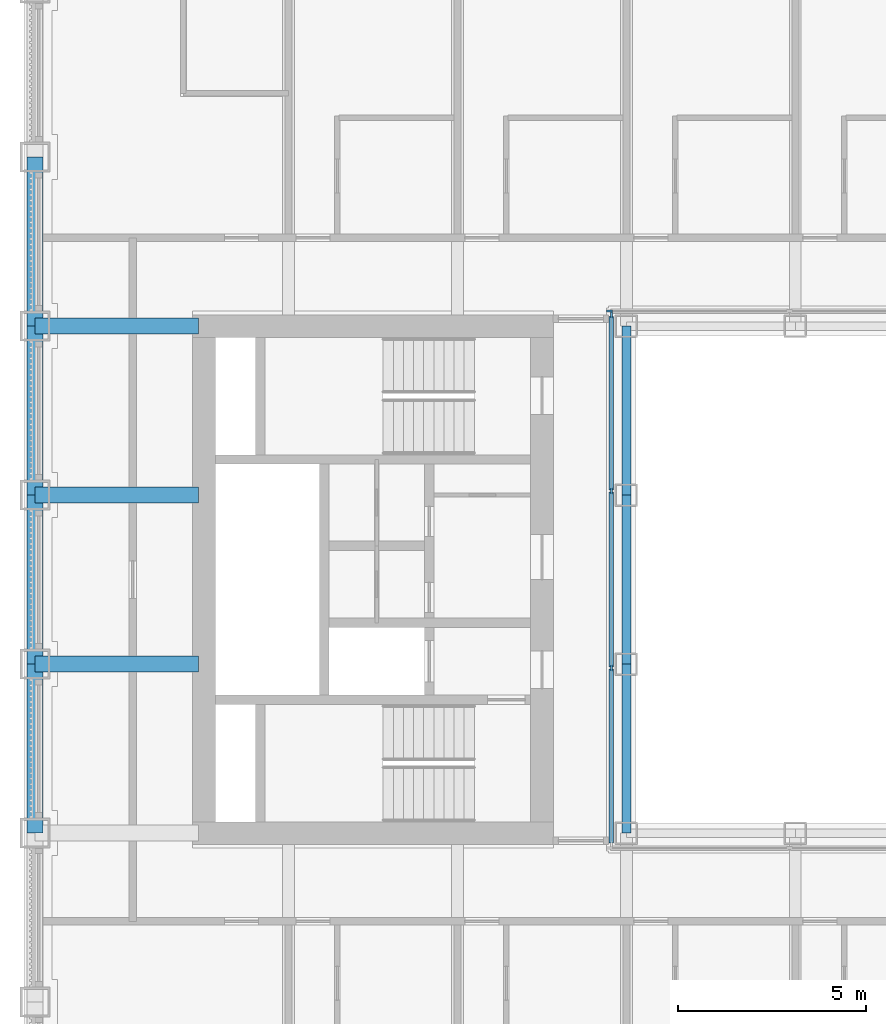
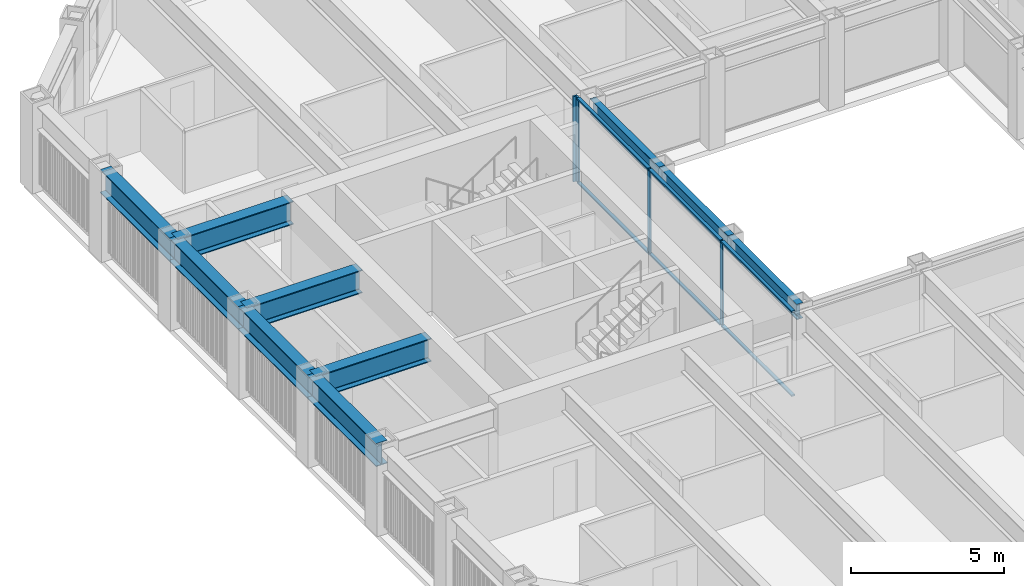
# One storey, part 4 of 18: 10 beams, 10 members, 2 elements without a shape of their own.
"""IFC4 building model written with IfcOpenShell, lengths in metres."""

from ifc_helpers import new_model, si_unit, direction, frame, origin, origin_2d, place, context, subcontext, project, spatial, rectangle, i_section, extrude, material, material_profile, profile_set, type_object, element, aggregate, save


model = new_model("IFC4")

# Units and contexts
model_context = context("Model", 3, precision=1e-05, world=origin(), true_north=direction((0.0, 1.0)))
body_context = subcontext(model_context, "Body", "Model", "MODEL_VIEW")
ifc_project = project(units=[si_unit("LENGTHUNIT", "METRE"), si_unit("AREAUNIT", "SQUARE_METRE"), si_unit("VOLUMEUNIT", "CUBIC_METRE"), si_unit("PLANEANGLEUNIT", "RADIAN"), si_unit("MASSUNIT", "GRAM", prefix="KILO")], contexts=[model_context])

# Site, building, storey
site_placement = place(None, origin())
site = spatial("IfcSite", under=ifc_project, at=site_placement, CompositionType="ELEMENT")
building_placement = place(site_placement, origin())
building = spatial("IfcBuilding", under=site, at=building_placement, Name="Msasa Ring Tower", CompositionType="ELEMENT")
storey_placement = place(building_placement, frame((0.0, 0.0, 122.0)))
storey = spatial("IfcBuildingStorey", under=building, at=storey_placement, Name="L31", CompositionType="ELEMENT", Elevation=122.0)

# Curtain wall, member
ifc_material_1 = material(Name="Aluminium curtain wall with clear glass", Category="aluminium")
curtain_wall_type = type_object("IfcCurtainWallType", Name="CW-W LIGHT WELL CURTAIN WALL", PredefinedType="NOTDEFINED", material=ifc_material_1)
curtain_wall_1_placement = place(storey_placement, origin())
curtain_wall_1 = element("IfcCurtainWall", 1, at=curtain_wall_1_placement, inside=storey, type_object=curtain_wall_type, Name="Light well curtain wall N L31", PredefinedType="NOTDEFINED")
ifc_material_2 = material(Name="Aluminium mullion", Category="aluminium")
ifc_material_profile_1 = material_profile(ifc_material_2, rectangle(XDim=0.06005859375, YDim=0.159912109375, at=origin_2d()), Name="AL 60x160")
ifc_profile_set_1 = profile_set([ifc_material_profile_1], Name="Aluminium mullion")
member_type_1 = type_object("IfcMemberType", Name="CW-W MULLION 60x160", PredefinedType="MULLION", material=ifc_profile_set_1)
member_1_placement = place(storey_placement, frame((-7.199951171875, 7.14990234375, 0.0), z_axis=(0.0, 0.0, 1.0), x_axis=(0.0, 1.0, 0.0)))
member_1 = element("IfcMember", 2, at=member_1_placement, type_object=member_type_1, Name="CW-W mullion 1", PredefinedType="MULLION", context=body_context, shape_type="SweptSolid", body=[
    extrude(rectangle(XDim=0.06005859375, YDim=0.159912109375, at=origin_2d()), origin(), (0.0, 0.0, 1.0), 3.39990234375),
])
aggregate(curtain_wall_1, [member_1])

# Curtain wall, members
curtain_wall_2_placement = place(storey_placement, origin())
curtain_wall_2 = element("IfcCurtainWall", 3, at=curtain_wall_2_placement, inside=storey, type_object=curtain_wall_type, Name="Light well curtain wall W L31", PredefinedType="NOTDEFINED")
member_2_placement = place(storey_placement, frame((-7.14990234375, -2.356689453125, 0.0), z_axis=(0.0, 0.0, 1.0), x_axis=(-1.0, 0.0, 0.0)))
member_2 = element("IfcMember", 4, at=member_2_placement, type_object=member_type_1, Name="CW-W mullion 2", PredefinedType="MULLION", context=body_context, shape_type="SweptSolid", body=[
    extrude(rectangle(XDim=0.06005859375, YDim=0.159912109375, at=origin_2d()), origin(), (0.0, 0.0, 1.0), 3.39990234375),
])
member_3_placement = place(storey_placement, frame((-7.14990234375, 2.356689453125, 0.0), z_axis=(0.0, 0.0, 1.0), x_axis=(-1.0, 0.0, 0.0)))
member_3 = element("IfcMember", 5, at=member_3_placement, type_object=member_type_1, Name="CW-W mullion 3", PredefinedType="MULLION", context=body_context, shape_type="SweptSolid", body=[
    extrude(rectangle(XDim=0.06005859375, YDim=0.159912109375, at=origin_2d()), origin(), (0.0, 0.0, 1.0), 3.39990234375),
])
member_4_placement = place(storey_placement, frame((-7.14990234375, 7.0400390625, 0.0), z_axis=(0.0, 0.0, 1.0), x_axis=(-1.0, 0.0, 0.0)))
member_4 = element("IfcMember", 6, at=member_4_placement, type_object=member_type_1, Name="CW-W mullion 4", PredefinedType="MULLION", context=body_context, shape_type="SweptSolid", body=[
    extrude(rectangle(XDim=0.06005859375, YDim=0.159912109375, at=origin_2d()), origin(), (0.0, 0.0, 1.0), 3.39990234375),
])
ifc_material_3 = material(Name="Aluminium transom", Category="aluminium")
ifc_material_profile_2 = material_profile(ifc_material_3, rectangle(XDim=0.1201171875, YDim=0.06005859375, at=origin_2d()), Name="AL 60x120")
ifc_profile_set_2 = profile_set([ifc_material_profile_2], Name="Aluminium transom")
member_type_2 = type_object("IfcMemberType", Name="CW-W TRANSOM 60x120", PredefinedType="USERDEFINED", material=ifc_profile_set_2)
member_5_placement = place(storey_placement, frame((-7.14990234375, -7.010009765625, 0.030029296875), z_axis=(0.0, 1.0, 0.0), x_axis=(-1.0, 0.0, 0.0)))
member_5 = element("IfcMember", 7, at=member_5_placement, type_object=member_type_2, Name="CW-W transom 1.1", ObjectType="TRANSOM", PredefinedType="USERDEFINED", context=body_context, shape_type="SweptSolid", body=[
    extrude(rectangle(XDim=0.1201171875, YDim=0.06005859375, at=origin_2d()), origin(), (0.0, 0.0, 1.0), 4.623291015625),
])
member_6_placement = place(storey_placement, frame((-7.14990234375, -7.010009765625, 3.3701171875), z_axis=(0.0, 1.0, 0.0), x_axis=(-1.0, 0.0, 0.0)))
member_6 = element("IfcMember", 8, at=member_6_placement, type_object=member_type_2, Name="CW-W transom 1.2", ObjectType="TRANSOM", PredefinedType="USERDEFINED", context=body_context, shape_type="SweptSolid", body=[
    extrude(rectangle(XDim=0.1201171875, YDim=0.06005859375, at=origin_2d()), origin(), (0.0, 0.0, 1.0), 4.623291015625),
])
member_7_placement = place(storey_placement, frame((-7.14990234375, -2.32666015625, 0.030029296875), z_axis=(0.0, 1.0, 0.0), x_axis=(-1.0, 0.0, 0.0)))
member_7 = element("IfcMember", 9, at=member_7_placement, type_object=member_type_2, Name="CW-W transom 2.1", ObjectType="TRANSOM", PredefinedType="USERDEFINED", context=body_context, shape_type="SweptSolid", body=[
    extrude(rectangle(XDim=0.1201171875, YDim=0.06005859375, at=origin_2d()), origin(), (0.0, 0.0, 1.0), 4.6533203125),
])
member_8_placement = place(storey_placement, frame((-7.14990234375, -2.32666015625, 3.3701171875), z_axis=(0.0, 1.0, 0.0), x_axis=(-1.0, 0.0, 0.0)))
member_8 = element("IfcMember", 10, at=member_8_placement, type_object=member_type_2, Name="CW-W transom 2.2", ObjectType="TRANSOM", PredefinedType="USERDEFINED", context=body_context, shape_type="SweptSolid", body=[
    extrude(rectangle(XDim=0.1201171875, YDim=0.06005859375, at=origin_2d()), origin(), (0.0, 0.0, 1.0), 4.6533203125),
])
member_9_placement = place(storey_placement, frame((-7.14990234375, 2.38671875, 0.030029296875), z_axis=(0.0, 1.0, 0.0), x_axis=(-1.0, 0.0, 0.0)))
member_9 = element("IfcMember", 11, at=member_9_placement, type_object=member_type_2, Name="CW-W transom 3.1", ObjectType="TRANSOM", PredefinedType="USERDEFINED", context=body_context, shape_type="SweptSolid", body=[
    extrude(rectangle(XDim=0.1201171875, YDim=0.06005859375, at=origin_2d()), origin(), (0.0, 0.0, 1.0), 4.623291015625),
])
member_10_placement = place(storey_placement, frame((-7.14990234375, 2.38671875, 3.3701171875), z_axis=(0.0, 1.0, 0.0), x_axis=(-1.0, 0.0, 0.0)))
member_10 = element("IfcMember", 12, at=member_10_placement, type_object=member_type_2, Name="CW-W transom 3.2", ObjectType="TRANSOM", PredefinedType="USERDEFINED", context=body_context, shape_type="SweptSolid", body=[
    extrude(rectangle(XDim=0.1201171875, YDim=0.06005859375, at=origin_2d()), origin(), (0.0, 0.0, 1.0), 4.623291015625),
])
aggregate(curtain_wall_2, [member_2, member_3, member_4, member_5, member_6, member_7, member_8, member_9, member_10])

# Beams
ifc_material_4 = material(Name="Steel S355", Category="steel")
ifc_material_profile_3 = material_profile(ifc_material_4, i_section(OverallWidth=0.42041015625, OverallDepth=0.9208984375, WebThickness=0.021484375, FlangeThickness=0.03662109375, FilletRadius=0.024169921875, at=origin_2d()), Name="UB 914x419x388")
ifc_profile_set_3 = profile_set([ifc_material_profile_3], Name="Steel S355")
beam_type_1 = type_object("IfcBeamType", Name="FB2 UB 914x419x388", PredefinedType="BEAM", material=ifc_profile_set_3)
for number, where, z_axis, x_axis, name in (
    (13, (-22.5, -2.25, 2.939453125), (1.0, 0.0, 0.0), (0.0, 1.0, 0.0), "Floor beam W -2.25 under L32"),
    (14, (-22.5, 2.25, 2.939453125), (1.0, 0.0, 0.0), (0.0, 1.0, 0.0), "Floor beam W +2.25 under L32"),
):
    element("IfcBeam", number, at=place(storey_placement, frame(where, z_axis=z_axis, x_axis=x_axis)), inside=storey, type_object=beam_type_1, Name=name, PredefinedType="BEAM", context=body_context, shape_type="SweptSolid", body=[
        extrude(i_section(OverallWidth=0.42041015625, OverallDepth=0.9208984375, WebThickness=0.021484375, FlangeThickness=0.03662109375, FilletRadius=0.024169921875, at=origin_2d()), origin(), (0.0, 0.0, 1.0), 4.35009765625),
    ])
ifc_material_5 = material(Name="Steel S355", Category="steel")
ifc_material_profile_4 = material_profile(ifc_material_5, i_section(OverallWidth=0.42041015625, OverallDepth=0.9208984375, WebThickness=0.021484375, FlangeThickness=0.03662109375, FilletRadius=0.024169921875, at=origin_2d()), Name="UB 914x419x388")
ifc_profile_set_4 = profile_set([ifc_material_profile_4], Name="Steel S355")
beam_type_2 = type_object("IfcBeamType", Name="GB1 UB 914x419x388", PredefinedType="BEAM", material=ifc_profile_set_4)
beam_placement = place(storey_placement, frame((-18.14990234375, 6.75, 2.939453125), z_axis=(-1.0, 0.0, 0.0), x_axis=(0.0, -1.0, 0.0)))
element("IfcBeam", 15, at=beam_placement, inside=storey, type_object=beam_type_2, Name="Girder W +6.75 under L32", PredefinedType="BEAM", context=body_context, shape_type="SweptSolid", body=[
    extrude(i_section(OverallWidth=0.42041015625, OverallDepth=0.9208984375, WebThickness=0.021484375, FlangeThickness=0.03662109375, FilletRadius=0.024169921875, at=origin_2d()), origin(), (0.0, 0.0, 1.0), 4.35009765625),
])
ifc_material_6 = material(Name="Steel S355", Category="steel")
ifc_material_profile_5 = material_profile(ifc_material_6, i_section(OverallWidth=0.230224609375, OverallDepth=0.6171875, WebThickness=0.01318359375, FlangeThickness=0.022216796875, FilletRadius=0.0126953125, at=origin_2d()), Name="UB 610x229x140")
ifc_profile_set_5 = profile_set([ifc_material_profile_5], Name="Steel S355")
beam_type_3 = type_object("IfcBeamType", Name="RB1 UB 610x229x140", PredefinedType="BEAM", material=ifc_profile_set_5)
for number, where, z_axis, x_axis, name in (
    (16, (-6.75, -2.25, 3.09130859375), (0.0, -1.0, 0.0), (1.0, 0.0, 0.0), "Inner ring beam IR-6.75-2.25 under L32"),
    (17, (-6.75, 6.75, 3.09130859375), (0.0, -1.0, 0.0), (1.0, 0.0, 0.0), "Inner ring beam IR-6.75+6.75 under L32"),
    (18, (-6.75, 2.25, 3.09130859375), (0.0, -1.0, 0.0), (1.0, 0.0, 0.0), "Inner ring beam IR-6.75+2.25 under L32"),
):
    element("IfcBeam", number, at=place(storey_placement, frame(where, z_axis=z_axis, x_axis=x_axis)), inside=storey, type_object=beam_type_3, Name=name, PredefinedType="BEAM", context=body_context, shape_type="SweptSolid", body=[
        extrude(i_section(OverallWidth=0.230224609375, OverallDepth=0.6171875, WebThickness=0.01318359375, FlangeThickness=0.022216796875, FilletRadius=0.0126953125, at=origin_2d()), origin(), (0.0, 0.0, 1.0), 4.5),
    ])
ifc_material_7 = material(Name="Steel S355", Category="steel")
ifc_material_profile_6 = material_profile(ifc_material_7, i_section(OverallWidth=0.42041015625, OverallDepth=0.9208984375, WebThickness=0.021484375, FlangeThickness=0.03662109375, FilletRadius=0.024169921875, at=origin_2d()), Name="UB 914x419x388")
ifc_profile_set_6 = profile_set([ifc_material_profile_6], Name="Steel S355")
beam_type_4 = type_object("IfcBeamType", Name="SB1 UB 914x419x388", PredefinedType="SPANDREL", material=ifc_profile_set_6)
for number, where, z_axis, x_axis, name in (
    (19, (-22.5, -2.25, 2.939453125), (0.0, -1.0, 0.0), (1.0, 0.0, 0.0), "Spandrel W-2.25 to W-6.75 under L32"),
    (20, (-22.5, 11.25, 2.939453125), (0.0, -1.0, 0.0), (1.0, 0.0, 0.0), "Spandrel W+11.25 to W+6.75 under L32"),
    (21, (-22.5, 6.75, 2.939453125), (0.0, -1.0, 0.0), (1.0, 0.0, 0.0), "Spandrel W+6.75 to W+2.25 under L32"),
    (22, (-22.5, 2.25, 2.939453125), (0.0, -1.0, 0.0), (1.0, 0.0, 0.0), "Spandrel W+2.25 to W-2.25 under L32"),
):
    element("IfcBeam", number, at=place(storey_placement, frame(where, z_axis=z_axis, x_axis=x_axis)), inside=storey, type_object=beam_type_4, Name=name, PredefinedType="SPANDREL", context=body_context, shape_type="SweptSolid", body=[
        extrude(i_section(OverallWidth=0.42041015625, OverallDepth=0.9208984375, WebThickness=0.021484375, FlangeThickness=0.03662109375, FilletRadius=0.024169921875, at=origin_2d()), origin(), (0.0, 0.0, 1.0), 4.5),
    ])

save(model, "model.ifc")
